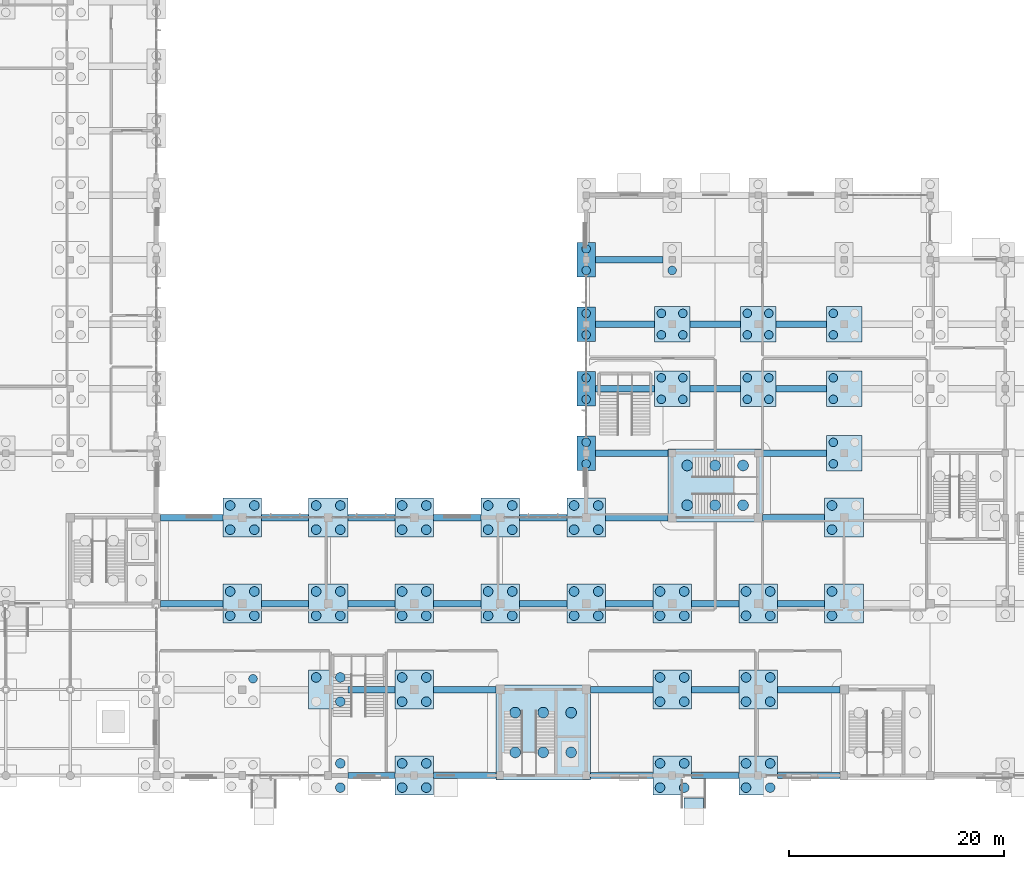
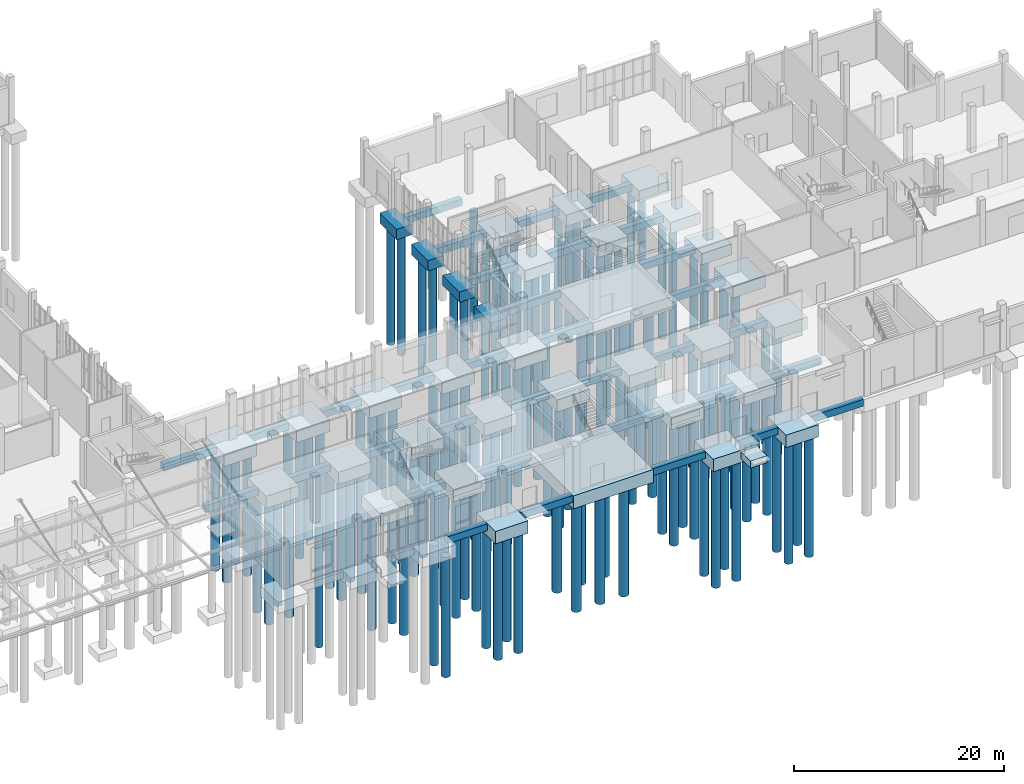
# One storey, part 2 of 69: 125 piles, 69 footings.
"""IFC4 building model written with IfcOpenShell, lengths in metres."""

from ifc_helpers import new_model, si_unit, direction, frame, origin, origin_2d, place, context, subcontext, project, spatial, rectangle, circle, extrude, material, material_profile, profile_set, type_object, element, save


model = new_model("IFC4")

# Units and contexts
model_context = context("Model", 3, precision=1e-05, world=origin(), true_north=direction((0.0, 1.0)))
body_context = subcontext(model_context, "Body", "Model", "MODEL_VIEW")
ifc_project = project(units=[si_unit("LENGTHUNIT", "METRE"), si_unit("AREAUNIT", "SQUARE_METRE"), si_unit("VOLUMEUNIT", "CUBIC_METRE"), si_unit("PLANEANGLEUNIT", "RADIAN"), si_unit("MASSUNIT", "GRAM", prefix="KILO")], contexts=[model_context])

# Site, building, storey
site_placement = place(None, origin())
site = spatial("IfcSite", under=ifc_project, at=site_placement, CompositionType="ELEMENT")
building_placement = place(site_placement, origin())
building = spatial("IfcBuilding", under=site, at=building_placement, Name="Solvane Community Centre", CompositionType="ELEMENT")
storey_placement = place(building_placement, origin())
storey = spatial("IfcBuildingStorey", under=building, at=storey_placement, Name="L00", CompositionType="ELEMENT", Elevation=0.0)

# Piles
ifc_material = material(Name="Concrete C28/35", Category="concrete")
ifc_material_profile_1 = material_profile(ifc_material, circle(Radius=0.5, at=origin_2d()), Name="PILE D1000")
ifc_profile_set_1 = profile_set([ifc_material_profile_1], Name="Concrete C28/35")
pile_type_1 = type_object("IfcPileType", Name="Bored Saprolite Pile D1000", PredefinedType="BORED", material=ifc_profile_set_1)
for number, where, z_axis, x_axis, name in (
    (1, (101.39990234375, 8.14990234375, -1.679931640625), (0.0, 0.0, -1.0), (1.0, 0.0, 0.0), "Bored Pile PILE-C2-11"),
    (2, (101.39990234375, 11.85009765625, -1.679931640625), (0.0, 0.0, -1.0), (1.0, 0.0, 0.0), "Bored Pile PILE-C2-12"),
    (3, (104.0, 8.14990234375, -1.679931640625), (0.0, 0.0, -1.0), (1.0, 0.0, 0.0), "Bored Pile PILE-C2-21"),
    (4, (104.0, 11.85009765625, -1.679931640625), (0.0, 0.0, -1.0), (1.0, 0.0, 0.0), "Bored Pile PILE-C2-22"),
    (5, (106.60009765625, 8.14990234375, -1.679931640625), (0.0, 0.0, -1.0), (1.0, 0.0, 0.0), "Bored Pile PILE-C2-31"),
    (6, (106.60009765625, 11.85009765625, -1.679931640625), (0.0, 0.0, -1.0), (1.0, 0.0, 0.0), "Bored Pile PILE-C2-32"),
    (7, (117.39990234375, 31.14990234375, -1.679931640625), (0.0, 0.0, -1.0), (1.0, 0.0, 0.0), "Bored Pile PILE-C4-11"),
    (8, (117.39990234375, 34.85009765625, -1.679931640625), (0.0, 0.0, -1.0), (1.0, 0.0, 0.0), "Bored Pile PILE-C4-12"),
    (9, (120.0, 31.14990234375, -1.679931640625), (0.0, 0.0, -1.0), (1.0, 0.0, 0.0), "Bored Pile PILE-C4-21"),
    (10, (120.0, 34.85009765625, -1.679931640625), (0.0, 0.0, -1.0), (1.0, 0.0, 0.0), "Bored Pile PILE-C4-22"),
    (11, (122.60009765625, 31.14990234375, -1.679931640625), (0.0, 0.0, -1.0), (1.0, 0.0, 0.0), "Bored Pile PILE-C4-31"),
    (12, (122.60009765625, 34.85009765625, -1.679931640625), (0.0, 0.0, -1.0), (1.0, 0.0, 0.0), "Bored Pile PILE-C4-32"),
):
    element("IfcPile", number, at=place(storey_placement, frame(where, z_axis=z_axis, x_axis=x_axis)), inside=storey, type_object=pile_type_1, Name=name, PredefinedType="BORED", context=body_context, shape_type="SweptSolid", body=[
        extrude(circle(Radius=0.5, at=origin_2d()), origin(), (0.0, 0.0, 1.0), 14.0),
    ])
ifc_material_profile_2 = material_profile(ifc_material, circle(Radius=0.39990234375, at=origin_2d()), Name="PILE D800")
ifc_profile_set_2 = profile_set([ifc_material_profile_2], Name="Concrete C28/35")
pile_type_2 = type_object("IfcPileType", Name="Bored Saprolite Pile D800", PredefinedType="BORED", material=ifc_profile_set_2)
for number, where, z_axis, x_axis, name in (
    (13, (77.0, 15.0, -1.47998046875), (0.0, 0.0, -1.0), (1.0, 0.0, 0.0), "Bored Pile PILE-12-B-4"),
    (14, (108.0, 35.0, -1.3798828125), (0.0, 0.0, -1.0), (1.0, 0.0, 0.0), "Bored Pile PILE-16-E-1"),
    (15, (108.0, 37.0, -1.3798828125), (0.0, 0.0, -1.0), (1.0, 0.0, 0.0), "Bored Pile PILE-16-E-2"),
    (16, (108.0, 41.0, -1.3798828125), (0.0, 0.0, -1.0), (1.0, 0.0, 0.0), "Bored Pile PILE-16-F-1"),
    (17, (108.0, 43.0, -1.3798828125), (0.0, 0.0, -1.0), (1.0, 0.0, 0.0), "Bored Pile PILE-16-F-2"),
    (18, (108.0, 47.0, -1.3798828125), (0.0, 0.0, -1.0), (1.0, 0.0, 0.0), "Bored Pile PILE-16-G-1"),
    (19, (108.0, 49.0, -1.3798828125), (0.0, 0.0, -1.0), (1.0, 0.0, 0.0), "Bored Pile PILE-16-G-2"),
    (20, (108.0, 53.0, -1.3798828125), (0.0, 0.0, -1.0), (1.0, 0.0, 0.0), "Bored Pile PILE-16-H-1"),
    (21, (108.0, 55.0, -1.3798828125), (0.0, 0.0, -1.0), (1.0, 0.0, 0.0), "Bored Pile PILE-16-H-2"),
    (22, (115.0, 41.0, -1.47998046875), (0.0, 0.0, -1.0), (1.0, 0.0, 0.0), "Bored Pile PILE-17-F-1"),
    (23, (117.0, 41.0, -1.47998046875), (0.0, 0.0, -1.0), (1.0, 0.0, 0.0), "Bored Pile PILE-17-F-2"),
    (24, (115.0, 43.0, -1.47998046875), (0.0, 0.0, -1.0), (1.0, 0.0, 0.0), "Bored Pile PILE-17-F-3"),
    (25, (117.0, 43.0, -1.47998046875), (0.0, 0.0, -1.0), (1.0, 0.0, 0.0), "Bored Pile PILE-17-F-4"),
    (26, (115.0, 47.0, -1.47998046875), (0.0, 0.0, -1.0), (1.0, 0.0, 0.0), "Bored Pile PILE-17-G-1"),
    (27, (117.0, 47.0, -1.47998046875), (0.0, 0.0, -1.0), (1.0, 0.0, 0.0), "Bored Pile PILE-17-G-2"),
    (28, (115.0, 49.0, -1.47998046875), (0.0, 0.0, -1.0), (1.0, 0.0, 0.0), "Bored Pile PILE-17-G-3"),
    (29, (117.0, 49.0, -1.47998046875), (0.0, 0.0, -1.0), (1.0, 0.0, 0.0), "Bored Pile PILE-17-G-4"),
    (30, (116.0, 53.0, -1.429931640625), (0.0, 0.0, -1.0), (1.0, 0.0, 0.0), "Bored Pile PILE-17-H-1"),
    (31, (123.0, 41.0, -1.47998046875), (0.0, 0.0, -1.0), (1.0, 0.0, 0.0), "Bored Pile PILE-18-F-1"),
    (32, (125.0, 41.0, -1.47998046875), (0.0, 0.0, -1.0), (1.0, 0.0, 0.0), "Bored Pile PILE-18-F-2"),
    (33, (123.0, 43.0, -1.47998046875), (0.0, 0.0, -1.0), (1.0, 0.0, 0.0), "Bored Pile PILE-18-F-3"),
    (34, (125.0, 43.0, -1.47998046875), (0.0, 0.0, -1.0), (1.0, 0.0, 0.0), "Bored Pile PILE-18-F-4"),
    (35, (123.0, 47.0, -1.47998046875), (0.0, 0.0, -1.0), (1.0, 0.0, 0.0), "Bored Pile PILE-18-G-1"),
    (36, (125.0, 47.0, -1.47998046875), (0.0, 0.0, -1.0), (1.0, 0.0, 0.0), "Bored Pile PILE-18-G-2"),
    (37, (123.0, 49.0, -1.47998046875), (0.0, 0.0, -1.0), (1.0, 0.0, 0.0), "Bored Pile PILE-18-G-3"),
    (38, (125.0, 49.0, -1.47998046875), (0.0, 0.0, -1.0), (1.0, 0.0, 0.0), "Bored Pile PILE-18-G-4"),
    (39, (131.0, 35.0, -1.47998046875), (0.0, 0.0, -1.0), (1.0, 0.0, 0.0), "Bored Pile PILE-19-E-1"),
    (40, (131.0, 37.0, -1.47998046875), (0.0, 0.0, -1.0), (1.0, 0.0, 0.0), "Bored Pile PILE-19-E-3"),
    (41, (131.0, 41.0, -1.47998046875), (0.0, 0.0, -1.0), (1.0, 0.0, 0.0), "Bored Pile PILE-19-F-1"),
    (42, (131.0, 43.0, -1.47998046875), (0.0, 0.0, -1.0), (1.0, 0.0, 0.0), "Bored Pile PILE-19-F-3"),
    (43, (131.0, 47.0, -1.47998046875), (0.0, 0.0, -1.0), (1.0, 0.0, 0.0), "Bored Pile PILE-19-G-1"),
    (44, (131.0, 49.0, -1.47998046875), (0.0, 0.0, -1.0), (1.0, 0.0, 0.0), "Bored Pile PILE-19-G-3"),
):
    element("IfcPile", number, at=place(storey_placement, frame(where, z_axis=z_axis, x_axis=x_axis)), inside=storey, type_object=pile_type_2, Name=name, PredefinedType="BORED", context=body_context, shape_type="SweptSolid", body=[
        extrude(circle(Radius=0.39990234375, at=origin_2d()), origin(), (0.0, 0.0, 1.0), 14.0),
    ])
ifc_material_profile_3 = material_profile(ifc_material, circle(Radius=0.449951171875, at=origin_2d()), Name="PILE D900")
ifc_profile_set_3 = profile_set([ifc_material_profile_3], Name="Concrete C28/35")
pile_type_3 = type_object("IfcPileType", Name="Bored Saprolite Pile D900", PredefinedType="BORED", material=ifc_profile_set_3)
for number, where, z_axis, x_axis, name in (
    (45, (74.875, 20.875, -1.580078125), (0.0, 0.0, -1.0), (1.0, 0.0, 0.0), "Bored Pile PILE-12-C-1"),
    (46, (77.125, 20.875, -1.580078125), (0.0, 0.0, -1.0), (1.0, 0.0, 0.0), "Bored Pile PILE-12-C-2"),
    (47, (74.875, 23.125, -1.580078125), (0.0, 0.0, -1.0), (1.0, 0.0, 0.0), "Bored Pile PILE-12-C-3"),
    (48, (77.125, 23.125, -1.580078125), (0.0, 0.0, -1.0), (1.0, 0.0, 0.0), "Bored Pile PILE-12-C-4"),
    (49, (74.875, 28.875, -1.580078125), (0.0, 0.0, -1.0), (1.0, 0.0, 0.0), "Bored Pile PILE-12-D-1"),
    (50, (77.125, 28.875, -1.580078125), (0.0, 0.0, -1.0), (1.0, 0.0, 0.0), "Bored Pile PILE-12-D-2"),
    (51, (74.875, 31.125, -1.580078125), (0.0, 0.0, -1.0), (1.0, 0.0, 0.0), "Bored Pile PILE-12-D-3"),
    (52, (77.125, 31.125, -1.580078125), (0.0, 0.0, -1.0), (1.0, 0.0, 0.0), "Bored Pile PILE-12-D-4"),
    (53, (85.125, 4.875, -1.6298828125), (0.0, 0.0, -1.0), (1.0, 0.0, 0.0), "Bored Pile PILE-13-A-2"),
    (54, (85.125, 7.125, -1.6298828125), (0.0, 0.0, -1.0), (1.0, 0.0, 0.0), "Bored Pile PILE-13-A-4"),
    (55, (85.125, 12.875, -1.580078125), (0.0, 0.0, -1.0), (1.0, 0.0, 0.0), "Bored Pile PILE-13-B-2"),
    (56, (82.875, 15.125, -1.580078125), (0.0, 0.0, -1.0), (1.0, 0.0, 0.0), "Bored Pile PILE-13-B-3"),
    (57, (85.125, 15.125, -1.580078125), (0.0, 0.0, -1.0), (1.0, 0.0, 0.0), "Bored Pile PILE-13-B-4"),
    (58, (82.875, 20.875, -1.580078125), (0.0, 0.0, -1.0), (1.0, 0.0, 0.0), "Bored Pile PILE-13-C-1"),
    (59, (85.125, 20.875, -1.580078125), (0.0, 0.0, -1.0), (1.0, 0.0, 0.0), "Bored Pile PILE-13-C-2"),
    (60, (82.875, 23.125, -1.580078125), (0.0, 0.0, -1.0), (1.0, 0.0, 0.0), "Bored Pile PILE-13-C-3"),
    (61, (85.125, 23.125, -1.580078125), (0.0, 0.0, -1.0), (1.0, 0.0, 0.0), "Bored Pile PILE-13-C-4"),
    (62, (82.875, 28.875, -1.580078125), (0.0, 0.0, -1.0), (1.0, 0.0, 0.0), "Bored Pile PILE-13-D-1"),
    (63, (85.125, 28.875, -1.580078125), (0.0, 0.0, -1.0), (1.0, 0.0, 0.0), "Bored Pile PILE-13-D-2"),
    (64, (82.875, 31.125, -1.580078125), (0.0, 0.0, -1.0), (1.0, 0.0, 0.0), "Bored Pile PILE-13-D-3"),
    (65, (85.125, 31.125, -1.580078125), (0.0, 0.0, -1.0), (1.0, 0.0, 0.0), "Bored Pile PILE-13-D-4"),
    (66, (90.875, 4.875, -1.6298828125), (0.0, 0.0, -1.0), (1.0, 0.0, 0.0), "Bored Pile PILE-14-A-1"),
    (67, (93.125, 4.875, -1.6298828125), (0.0, 0.0, -1.0), (1.0, 0.0, 0.0), "Bored Pile PILE-14-A-2"),
    (68, (90.875, 7.125, -1.6298828125), (0.0, 0.0, -1.0), (1.0, 0.0, 0.0), "Bored Pile PILE-14-A-3"),
    (69, (93.125, 7.125, -1.6298828125), (0.0, 0.0, -1.0), (1.0, 0.0, 0.0), "Bored Pile PILE-14-A-4"),
    (70, (90.875, 12.875, -1.580078125), (0.0, 0.0, -1.0), (1.0, 0.0, 0.0), "Bored Pile PILE-14-B-1"),
    (71, (93.125, 12.875, -1.580078125), (0.0, 0.0, -1.0), (1.0, 0.0, 0.0), "Bored Pile PILE-14-B-2"),
    (72, (90.875, 15.125, -1.580078125), (0.0, 0.0, -1.0), (1.0, 0.0, 0.0), "Bored Pile PILE-14-B-3"),
    (73, (93.125, 15.125, -1.580078125), (0.0, 0.0, -1.0), (1.0, 0.0, 0.0), "Bored Pile PILE-14-B-4"),
    (74, (90.875, 20.875, -1.580078125), (0.0, 0.0, -1.0), (1.0, 0.0, 0.0), "Bored Pile PILE-14-C-1"),
    (75, (93.125, 20.875, -1.580078125), (0.0, 0.0, -1.0), (1.0, 0.0, 0.0), "Bored Pile PILE-14-C-2"),
    (76, (90.875, 23.125, -1.580078125), (0.0, 0.0, -1.0), (1.0, 0.0, 0.0), "Bored Pile PILE-14-C-3"),
    (77, (93.125, 23.125, -1.580078125), (0.0, 0.0, -1.0), (1.0, 0.0, 0.0), "Bored Pile PILE-14-C-4"),
    (78, (90.875, 28.875, -1.580078125), (0.0, 0.0, -1.0), (1.0, 0.0, 0.0), "Bored Pile PILE-14-D-1"),
    (79, (93.125, 28.875, -1.580078125), (0.0, 0.0, -1.0), (1.0, 0.0, 0.0), "Bored Pile PILE-14-D-2"),
    (80, (90.875, 31.125, -1.580078125), (0.0, 0.0, -1.0), (1.0, 0.0, 0.0), "Bored Pile PILE-14-D-3"),
    (81, (93.125, 31.125, -1.580078125), (0.0, 0.0, -1.0), (1.0, 0.0, 0.0), "Bored Pile PILE-14-D-4"),
    (82, (98.875, 20.875, -1.580078125), (0.0, 0.0, -1.0), (1.0, 0.0, 0.0), "Bored Pile PILE-15-C-1"),
    (83, (101.125, 20.875, -1.580078125), (0.0, 0.0, -1.0), (1.0, 0.0, 0.0), "Bored Pile PILE-15-C-2"),
    (84, (98.875, 23.125, -1.580078125), (0.0, 0.0, -1.0), (1.0, 0.0, 0.0), "Bored Pile PILE-15-C-3"),
    (85, (101.125, 23.125, -1.580078125), (0.0, 0.0, -1.0), (1.0, 0.0, 0.0), "Bored Pile PILE-15-C-4"),
    (86, (98.875, 28.875, -1.580078125), (0.0, 0.0, -1.0), (1.0, 0.0, 0.0), "Bored Pile PILE-15-D-1"),
    (87, (101.125, 28.875, -1.580078125), (0.0, 0.0, -1.0), (1.0, 0.0, 0.0), "Bored Pile PILE-15-D-2"),
    (88, (98.875, 31.125, -1.580078125), (0.0, 0.0, -1.0), (1.0, 0.0, 0.0), "Bored Pile PILE-15-D-3"),
    (89, (101.125, 31.125, -1.580078125), (0.0, 0.0, -1.0), (1.0, 0.0, 0.0), "Bored Pile PILE-15-D-4"),
    (90, (106.875, 20.875, -1.580078125), (0.0, 0.0, -1.0), (1.0, 0.0, 0.0), "Bored Pile PILE-16-C-1"),
    (91, (109.125, 20.875, -1.580078125), (0.0, 0.0, -1.0), (1.0, 0.0, 0.0), "Bored Pile PILE-16-C-2"),
    (92, (106.875, 23.125, -1.580078125), (0.0, 0.0, -1.0), (1.0, 0.0, 0.0), "Bored Pile PILE-16-C-3"),
    (93, (109.125, 23.125, -1.580078125), (0.0, 0.0, -1.0), (1.0, 0.0, 0.0), "Bored Pile PILE-16-C-4"),
    (94, (106.875, 28.875, -1.580078125), (0.0, 0.0, -1.0), (1.0, 0.0, 0.0), "Bored Pile PILE-16-D-1"),
    (95, (109.125, 28.875, -1.580078125), (0.0, 0.0, -1.0), (1.0, 0.0, 0.0), "Bored Pile PILE-16-D-2"),
    (96, (106.875, 31.125, -1.580078125), (0.0, 0.0, -1.0), (1.0, 0.0, 0.0), "Bored Pile PILE-16-D-3"),
    (97, (109.125, 31.125, -1.580078125), (0.0, 0.0, -1.0), (1.0, 0.0, 0.0), "Bored Pile PILE-16-D-4"),
    (98, (114.875, 4.875, -1.6298828125), (0.0, 0.0, -1.0), (1.0, 0.0, 0.0), "Bored Pile PILE-17-A-1"),
    (99, (117.125, 4.875, -1.6298828125), (0.0, 0.0, -1.0), (1.0, 0.0, 0.0), "Bored Pile PILE-17-A-2"),
    (100, (114.875, 7.125, -1.6298828125), (0.0, 0.0, -1.0), (1.0, 0.0, 0.0), "Bored Pile PILE-17-A-3"),
    (101, (117.125, 7.125, -1.6298828125), (0.0, 0.0, -1.0), (1.0, 0.0, 0.0), "Bored Pile PILE-17-A-4"),
    (102, (114.875, 12.875, -1.580078125), (0.0, 0.0, -1.0), (1.0, 0.0, 0.0), "Bored Pile PILE-17-B-1"),
    (103, (117.125, 12.875, -1.580078125), (0.0, 0.0, -1.0), (1.0, 0.0, 0.0), "Bored Pile PILE-17-B-2"),
    (104, (114.875, 15.125, -1.580078125), (0.0, 0.0, -1.0), (1.0, 0.0, 0.0), "Bored Pile PILE-17-B-3"),
    (105, (117.125, 15.125, -1.580078125), (0.0, 0.0, -1.0), (1.0, 0.0, 0.0), "Bored Pile PILE-17-B-4"),
    (106, (114.875, 20.875, -1.580078125), (0.0, 0.0, -1.0), (1.0, 0.0, 0.0), "Bored Pile PILE-17-C-1"),
    (107, (117.125, 20.875, -1.580078125), (0.0, 0.0, -1.0), (1.0, 0.0, 0.0), "Bored Pile PILE-17-C-2"),
    (108, (114.875, 23.125, -1.580078125), (0.0, 0.0, -1.0), (1.0, 0.0, 0.0), "Bored Pile PILE-17-C-3"),
    (109, (117.125, 23.125, -1.580078125), (0.0, 0.0, -1.0), (1.0, 0.0, 0.0), "Bored Pile PILE-17-C-4"),
    (110, (122.875, 4.875, -1.6298828125), (0.0, 0.0, -1.0), (1.0, 0.0, 0.0), "Bored Pile PILE-18-A-1"),
    (111, (125.125, 4.875, -1.6298828125), (0.0, 0.0, -1.0), (1.0, 0.0, 0.0), "Bored Pile PILE-18-A-2"),
    (112, (122.875, 7.125, -1.6298828125), (0.0, 0.0, -1.0), (1.0, 0.0, 0.0), "Bored Pile PILE-18-A-3"),
    (113, (125.125, 7.125, -1.6298828125), (0.0, 0.0, -1.0), (1.0, 0.0, 0.0), "Bored Pile PILE-18-A-4"),
    (114, (122.875, 12.875, -1.580078125), (0.0, 0.0, -1.0), (1.0, 0.0, 0.0), "Bored Pile PILE-18-B-1"),
    (115, (125.125, 12.875, -1.580078125), (0.0, 0.0, -1.0), (1.0, 0.0, 0.0), "Bored Pile PILE-18-B-2"),
    (116, (122.875, 15.125, -1.580078125), (0.0, 0.0, -1.0), (1.0, 0.0, 0.0), "Bored Pile PILE-18-B-3"),
    (117, (125.125, 15.125, -1.580078125), (0.0, 0.0, -1.0), (1.0, 0.0, 0.0), "Bored Pile PILE-18-B-4"),
    (118, (122.875, 20.875, -1.580078125), (0.0, 0.0, -1.0), (1.0, 0.0, 0.0), "Bored Pile PILE-18-C-1"),
    (119, (125.125, 20.875, -1.580078125), (0.0, 0.0, -1.0), (1.0, 0.0, 0.0), "Bored Pile PILE-18-C-2"),
    (120, (122.875, 23.125, -1.580078125), (0.0, 0.0, -1.0), (1.0, 0.0, 0.0), "Bored Pile PILE-18-C-3"),
    (121, (125.125, 23.125, -1.580078125), (0.0, 0.0, -1.0), (1.0, 0.0, 0.0), "Bored Pile PILE-18-C-4"),
    (122, (130.875, 20.875, -1.580078125), (0.0, 0.0, -1.0), (1.0, 0.0, 0.0), "Bored Pile PILE-19-C-1"),
    (123, (130.875, 23.125, -1.580078125), (0.0, 0.0, -1.0), (1.0, 0.0, 0.0), "Bored Pile PILE-19-C-3"),
    (124, (130.875, 28.875, -1.580078125), (0.0, 0.0, -1.0), (1.0, 0.0, 0.0), "Bored Pile PILE-19-D-1"),
    (125, (130.875, 31.125, -1.580078125), (0.0, 0.0, -1.0), (1.0, 0.0, 0.0), "Bored Pile PILE-19-D-3"),
):
    element("IfcPile", number, at=place(storey_placement, frame(where, z_axis=z_axis, x_axis=x_axis)), inside=storey, type_object=pile_type_3, Name=name, PredefinedType="BORED", context=body_context, shape_type="SweptSolid", body=[
        extrude(circle(Radius=0.449951171875, at=origin_2d()), origin(), (0.0, 0.0, 1.0), 14.0),
    ])

# Footings
footing_type_1 = type_object("IfcFootingType", Name="Cloister Pad Footing PF2 1800x1800x800", PredefinedType="PAD_FOOTING", material=ifc_material)
footing_1_placement = place(storey_placement, frame((118.0, 3.0, -1.0400390625), z_axis=(0.0, 0.0, 1.0), x_axis=(1.0, 0.0, 0.0)))
element("IfcFooting", 126, at=footing_1_placement, inside=storey, type_object=footing_type_1, Name="Ramp Support Footing FTG-RMP-04-BOT", PredefinedType="PAD_FOOTING", context=body_context, shape_type="SweptSolid", body=[
    extrude(rectangle(XDim=1.800048828125, YDim=1.800048828125, at=origin_2d()), origin(), (0.0, 0.0, 1.0), 0.800048828125),
])
footing_type_2 = type_object("IfcFootingType", Name="Core Mat Cap MC1 8800x8800x1500", PredefinedType="PILE_CAP", material=ifc_material)
footing_2_placement = place(storey_placement, frame((104.0, 10.0, -1.780029296875), z_axis=(0.0, 0.0, 1.0), x_axis=(1.0, 0.0, 0.0)))
element("IfcFooting", 127, at=footing_2_placement, inside=storey, type_object=footing_type_2, Name="Core Pile Cap C2", PredefinedType="PILE_CAP", context=body_context, shape_type="SweptSolid", body=[
    extrude(rectangle(XDim=8.800048828125, YDim=8.800048828125, at=origin_2d()), origin(), (0.0, 0.0, 1.0), 1.5),
])
footing_type_3 = type_object("IfcFootingType", Name="Core Mat Cap MC2 8800x6800x1500", PredefinedType="PILE_CAP", material=ifc_material)
footing_3_placement = place(storey_placement, frame((120.0, 33.0, -1.780029296875), z_axis=(0.0, 0.0, 1.0), x_axis=(1.0, 0.0, 0.0)))
element("IfcFooting", 128, at=footing_3_placement, inside=storey, type_object=footing_type_3, Name="Core Pile Cap C4", PredefinedType="PILE_CAP", context=body_context, shape_type="SweptSolid", body=[
    extrude(rectangle(XDim=8.800048828125, YDim=6.800048828125, at=origin_2d()), origin(), (0.0, 0.0, 1.0), 1.5),
])
footing_type_4 = type_object("IfcFootingType", Name="Pile Cap 170x320x120cm", PredefinedType="PILE_CAP", material=ifc_material)
for number, where, z_axis, x_axis, name in (
    (129, (108.0, 36.0, -1.47998046875), (0.0, 0.0, 1.0), (1.0, 0.0, 0.0), "Pile Cap 16E"),
    (130, (108.0, 42.0, -1.47998046875), (0.0, 0.0, 1.0), (1.0, 0.0, 0.0), "Pile Cap 16F"),
    (131, (108.0, 48.0, -1.47998046875), (0.0, 0.0, 1.0), (1.0, 0.0, 0.0), "Pile Cap 16G"),
    (132, (108.0, 54.0, -1.47998046875), (0.0, 0.0, 1.0), (1.0, 0.0, 0.0), "Pile Cap 16H"),
):
    element("IfcFooting", number, at=place(storey_placement, frame(where, z_axis=z_axis, x_axis=x_axis)), inside=storey, type_object=footing_type_4, Name=name, PredefinedType="PILE_CAP", context=body_context, shape_type="SweptSolid", body=[
        extrude(rectangle(XDim=1.699951171875, YDim=3.199951171875, at=origin_2d()), origin(), (0.0, 0.0, 1.0), 1.199951171875),
    ])
footing_type_5 = type_object("IfcFootingType", Name="Pile Cap 330x330x130cm", PredefinedType="PILE_CAP", material=ifc_material)
for number, where, z_axis, x_axis, name in (
    (133, (116.0, 42.0, -1.580078125), (0.0, 0.0, 1.0), (1.0, 0.0, 0.0), "Pile Cap 17F"),
    (134, (116.0, 48.0, -1.580078125), (0.0, 0.0, 1.0), (1.0, 0.0, 0.0), "Pile Cap 17G"),
    (135, (124.0, 42.0, -1.580078125), (0.0, 0.0, 1.0), (1.0, 0.0, 0.0), "Pile Cap 18F"),
    (136, (124.0, 48.0, -1.580078125), (0.0, 0.0, 1.0), (1.0, 0.0, 0.0), "Pile Cap 18G"),
    (137, (132.0, 36.0, -1.580078125), (0.0, 0.0, 1.0), (1.0, 0.0, 0.0), "Pile Cap 19E"),
    (138, (132.0, 42.0, -1.580078125), (0.0, 0.0, 1.0), (1.0, 0.0, 0.0), "Pile Cap 19F"),
    (139, (132.0, 48.0, -1.580078125), (0.0, 0.0, 1.0), (1.0, 0.0, 0.0), "Pile Cap 19G"),
):
    element("IfcFooting", number, at=place(storey_placement, frame(where, z_axis=z_axis, x_axis=x_axis)), inside=storey, type_object=footing_type_5, Name=name, PredefinedType="PILE_CAP", context=body_context, shape_type="SweptSolid", body=[
        extrude(rectangle(XDim=3.300048828125, YDim=3.300048828125, at=origin_2d()), origin(), (0.0, 0.0, 1.0), 1.300048828125),
    ])
footing_type_6 = type_object("IfcFootingType", Name="Pile Cap 360x360x140cm", PredefinedType="PILE_CAP", material=ifc_material)
for number, where, z_axis, x_axis, name in (
    (140, (76.0, 22.0, -1.679931640625), (0.0, 0.0, 1.0), (1.0, 0.0, 0.0), "Pile Cap 12C"),
    (141, (76.0, 30.0, -1.679931640625), (0.0, 0.0, 1.0), (1.0, 0.0, 0.0), "Pile Cap 12D"),
    (142, (92.0, 14.0, -1.679931640625), (0.0, 0.0, 1.0), (1.0, 0.0, 0.0), "Pile Cap 14B"),
    (143, (92.0, 22.0, -1.679931640625), (0.0, 0.0, 1.0), (1.0, 0.0, 0.0), "Pile Cap 14C"),
    (144, (92.0, 30.0, -1.679931640625), (0.0, 0.0, 1.0), (1.0, 0.0, 0.0), "Pile Cap 14D"),
    (145, (100.0, 22.0, -1.679931640625), (0.0, 0.0, 1.0), (1.0, 0.0, 0.0), "Pile Cap 15C"),
    (146, (100.0, 30.0, -1.679931640625), (0.0, 0.0, 1.0), (1.0, 0.0, 0.0), "Pile Cap 15D"),
    (147, (108.0, 22.0, -1.679931640625), (0.0, 0.0, 1.0), (1.0, 0.0, 0.0), "Pile Cap 16C"),
    (148, (108.0, 30.0, -1.679931640625), (0.0, 0.0, 1.0), (1.0, 0.0, 0.0), "Pile Cap 16D"),
    (149, (116.0, 14.0, -1.679931640625), (0.0, 0.0, 1.0), (1.0, 0.0, 0.0), "Pile Cap 17B"),
    (150, (116.0, 22.0, -1.679931640625), (0.0, 0.0, 1.0), (1.0, 0.0, 0.0), "Pile Cap 17C"),
    (151, (124.0, 14.0, -1.679931640625), (0.0, 0.0, 1.0), (1.0, 0.0, 0.0), "Pile Cap 18B"),
    (152, (124.0, 22.0, -1.679931640625), (0.0, 0.0, 1.0), (1.0, 0.0, 0.0), "Pile Cap 18C"),
    (153, (132.0, 22.0, -1.679931640625), (0.0, 0.0, 1.0), (1.0, 0.0, 0.0), "Pile Cap 19C"),
    (154, (132.0, 30.0, -1.679931640625), (0.0, 0.0, 1.0), (1.0, 0.0, 0.0), "Pile Cap 19D"),
):
    element("IfcFooting", number, at=place(storey_placement, frame(where, z_axis=z_axis, x_axis=x_axis)), inside=storey, type_object=footing_type_6, Name=name, PredefinedType="PILE_CAP", context=body_context, shape_type="SweptSolid", body=[
        extrude(rectangle(XDim=3.60009765625, YDim=3.60009765625, at=origin_2d()), origin(), (0.0, 0.0, 1.0), 1.39990234375),
    ])
footing_type_7 = type_object("IfcFootingType", Name="Pile Cap 360x360x145cm", PredefinedType="PILE_CAP", material=ifc_material)
for number, where, z_axis, x_axis, name in (
    (155, (92.0, 6.0, -1.72998046875), (0.0, 0.0, 1.0), (1.0, 0.0, 0.0), "Pile Cap 14A"),
    (156, (116.0, 6.0, -1.72998046875), (0.0, 0.0, 1.0), (1.0, 0.0, 0.0), "Pile Cap 17A"),
    (157, (124.0, 6.0, -1.72998046875), (0.0, 0.0, 1.0), (1.0, 0.0, 0.0), "Pile Cap 18A"),
):
    element("IfcFooting", number, at=place(storey_placement, frame(where, z_axis=z_axis, x_axis=x_axis)), inside=storey, type_object=footing_type_7, Name=name, PredefinedType="PILE_CAP", context=body_context, shape_type="SweptSolid", body=[
        extrude(rectangle(XDim=3.60009765625, YDim=3.60009765625, at=origin_2d()), origin(), (0.0, 0.0, 1.0), 1.449951171875),
    ])
footing_type_8 = type_object("IfcFootingType", Name="Pile Cap 370x360x140cm", PredefinedType="PILE_CAP", material=ifc_material)
for number, where, z_axis, x_axis, name in (
    (158, (84.0, 14.0, -1.679931640625), (0.0, 0.0, 1.0), (1.0, 0.0, 0.0), "Pile Cap 13B"),
    (159, (84.0, 22.0, -1.679931640625), (0.0, 0.0, 1.0), (1.0, 0.0, 0.0), "Pile Cap 13C"),
    (160, (84.0, 30.0, -1.679931640625), (0.0, 0.0, 1.0), (1.0, 0.0, 0.0), "Pile Cap 13D"),
):
    element("IfcFooting", number, at=place(storey_placement, frame(where, z_axis=z_axis, x_axis=x_axis)), inside=storey, type_object=footing_type_8, Name=name, PredefinedType="PILE_CAP", context=body_context, shape_type="SweptSolid", body=[
        extrude(rectangle(XDim=3.699951171875, YDim=3.60009765625, at=origin_2d()), origin(), (0.0, 0.0, 1.0), 1.39990234375),
    ])
footing_type_9 = type_object("IfcFootingType", Name="Seismic Ground Tie Beam 600x800 L44dm", PredefinedType="FOOTING_BEAM", material=ifc_material)
footing_4_placement = place(storey_placement, frame((88.02490234375, 6.0, -1.080078125), z_axis=(0.0, 0.0, 1.0), x_axis=(1.0, 0.0, 0.0)))
element("IfcFooting", 161, at=footing_4_placement, inside=storey, type_object=footing_type_9, Name="Ground Tie Beam FTG-GTB-X-003", PredefinedType="FOOTING_BEAM", context=body_context, shape_type="SweptSolid", body=[
    extrude(rectangle(XDim=4.35009765625, YDim=0.60009765625, at=origin_2d()), origin(), (0.0, 0.0, 1.0), 0.800048828125),
])
footing_5_placement = place(storey_placement, frame((120.0, 6.0, -1.080078125), z_axis=(0.0, 0.0, 1.0), x_axis=(1.0, 0.0, 0.0)))
element("IfcFooting", 162, at=footing_5_placement, inside=storey, type_object=footing_type_9, Name="Ground Tie Beam FTG-GTB-X-006", PredefinedType="FOOTING_BEAM", context=body_context, shape_type="SweptSolid", body=[
    extrude(rectangle(XDim=4.39990234375, YDim=0.60009765625, at=origin_2d()), origin(), (0.0, 0.0, 1.0), 0.800048828125),
])
footing_6_placement = place(storey_placement, frame((88.02490234375, 14.0, -1.080078125), z_axis=(0.0, 0.0, 1.0), x_axis=(1.0, 0.0, 0.0)))
element("IfcFooting", 163, at=footing_6_placement, inside=storey, type_object=footing_type_9, Name="Ground Tie Beam FTG-GTB-X-014", PredefinedType="FOOTING_BEAM", context=body_context, shape_type="SweptSolid", body=[
    extrude(rectangle(XDim=4.35009765625, YDim=0.60009765625, at=origin_2d()), origin(), (0.0, 0.0, 1.0), 0.800048828125),
])
footing_7_placement = place(storey_placement, frame((120.0, 14.0, -1.080078125), z_axis=(0.0, 0.0, 1.0), x_axis=(1.0, 0.0, 0.0)))
element("IfcFooting", 164, at=footing_7_placement, inside=storey, type_object=footing_type_9, Name="Ground Tie Beam FTG-GTB-X-017", PredefinedType="FOOTING_BEAM", context=body_context, shape_type="SweptSolid", body=[
    extrude(rectangle(XDim=4.39990234375, YDim=0.60009765625, at=origin_2d()), origin(), (0.0, 0.0, 1.0), 0.800048828125),
])
for number, where, z_axis, x_axis, name in (
    (165, (79.97509765625, 22.0, -1.080078125), (0.0, 0.0, 1.0), (1.0, 0.0, 0.0), "Ground Tie Beam FTG-GTB-X-024"),
    (166, (88.02490234375, 22.0, -1.080078125), (0.0, 0.0, 1.0), (1.0, 0.0, 0.0), "Ground Tie Beam FTG-GTB-X-025"),
):
    element("IfcFooting", number, at=place(storey_placement, frame(where, z_axis=z_axis, x_axis=x_axis)), inside=storey, type_object=footing_type_9, Name=name, PredefinedType="FOOTING_BEAM", context=body_context, shape_type="SweptSolid", body=[
        extrude(rectangle(XDim=4.35009765625, YDim=0.60009765625, at=origin_2d()), origin(), (0.0, 0.0, 1.0), 0.800048828125),
    ])
for number, where, z_axis, x_axis, name in (
    (167, (96.0, 22.0, -1.080078125), (0.0, 0.0, 1.0), (1.0, 0.0, 0.0), "Ground Tie Beam FTG-GTB-X-026"),
    (168, (104.0, 22.0, -1.080078125), (0.0, 0.0, 1.0), (1.0, 0.0, 0.0), "Ground Tie Beam FTG-GTB-X-027"),
    (169, (112.0, 22.0, -1.080078125), (0.0, 0.0, 1.0), (1.0, 0.0, 0.0), "Ground Tie Beam FTG-GTB-X-028"),
    (170, (120.0, 22.0, -1.080078125), (0.0, 0.0, 1.0), (1.0, 0.0, 0.0), "Ground Tie Beam FTG-GTB-X-029"),
    (171, (128.0, 22.0, -1.080078125), (0.0, 0.0, 1.0), (1.0, 0.0, 0.0), "Ground Tie Beam FTG-GTB-X-030"),
):
    element("IfcFooting", number, at=place(storey_placement, frame(where, z_axis=z_axis, x_axis=x_axis)), inside=storey, type_object=footing_type_9, Name=name, PredefinedType="FOOTING_BEAM", context=body_context, shape_type="SweptSolid", body=[
        extrude(rectangle(XDim=4.39990234375, YDim=0.60009765625, at=origin_2d()), origin(), (0.0, 0.0, 1.0), 0.800048828125),
    ])
for number, where, z_axis, x_axis, name in (
    (172, (79.97509765625, 30.0, -1.080078125), (0.0, 0.0, 1.0), (1.0, 0.0, 0.0), "Ground Tie Beam FTG-GTB-X-038"),
    (173, (88.02490234375, 30.0, -1.080078125), (0.0, 0.0, 1.0), (1.0, 0.0, 0.0), "Ground Tie Beam FTG-GTB-X-039"),
):
    element("IfcFooting", number, at=place(storey_placement, frame(where, z_axis=z_axis, x_axis=x_axis)), inside=storey, type_object=footing_type_9, Name=name, PredefinedType="FOOTING_BEAM", context=body_context, shape_type="SweptSolid", body=[
        extrude(rectangle(XDim=4.35009765625, YDim=0.60009765625, at=origin_2d()), origin(), (0.0, 0.0, 1.0), 0.800048828125),
    ])
for number, where, z_axis, x_axis, name in (
    (174, (96.0, 30.0, -1.080078125), (0.0, 0.0, 1.0), (1.0, 0.0, 0.0), "Ground Tie Beam FTG-GTB-X-040"),
    (175, (104.0, 30.0, -1.080078125), (0.0, 0.0, 1.0), (1.0, 0.0, 0.0), "Ground Tie Beam FTG-GTB-X-041"),
):
    element("IfcFooting", number, at=place(storey_placement, frame(where, z_axis=z_axis, x_axis=x_axis)), inside=storey, type_object=footing_type_9, Name=name, PredefinedType="FOOTING_BEAM", context=body_context, shape_type="SweptSolid", body=[
        extrude(rectangle(XDim=4.39990234375, YDim=0.60009765625, at=origin_2d()), origin(), (0.0, 0.0, 1.0), 0.800048828125),
    ])
footing_type_10 = type_object("IfcFootingType", Name="Seismic Ground Tie Beam 600x800 L47dm", PredefinedType="FOOTING_BEAM", material=ifc_material)
for number, where, z_axis, x_axis, name in (
    (176, (120.0, 42.0, -1.080078125), (0.0, 0.0, 1.0), (1.0, 0.0, 0.0), "Ground Tie Beam FTG-GTB-X-064"),
    (177, (128.0, 42.0, -1.080078125), (0.0, 0.0, 1.0), (1.0, 0.0, 0.0), "Ground Tie Beam FTG-GTB-X-065"),
    (178, (120.0, 48.0, -1.080078125), (0.0, 0.0, 1.0), (1.0, 0.0, 0.0), "Ground Tie Beam FTG-GTB-X-073"),
    (179, (128.0, 48.0, -1.080078125), (0.0, 0.0, 1.0), (1.0, 0.0, 0.0), "Ground Tie Beam FTG-GTB-X-074"),
):
    element("IfcFooting", number, at=place(storey_placement, frame(where, z_axis=z_axis, x_axis=x_axis)), inside=storey, type_object=footing_type_10, Name=name, PredefinedType="FOOTING_BEAM", context=body_context, shape_type="SweptSolid", body=[
        extrude(rectangle(XDim=4.699951171875, YDim=0.60009765625, at=origin_2d()), origin(), (0.0, 0.0, 1.0), 0.800048828125),
    ])
footing_type_11 = type_object("IfcFootingType", Name="Seismic Ground Tie Beam 600x800 L55dm", PredefinedType="FOOTING_BEAM", material=ifc_material)
for number, where, z_axis, x_axis, name in (
    (180, (111.60009765625, 42.0, -1.080078125), (0.0, 0.0, 1.0), (1.0, 0.0, 0.0), "Ground Tie Beam FTG-GTB-X-063"),
    (181, (111.60009765625, 48.0, -1.080078125), (0.0, 0.0, 1.0), (1.0, 0.0, 0.0), "Ground Tie Beam FTG-GTB-X-072"),
):
    element("IfcFooting", number, at=place(storey_placement, frame(where, z_axis=z_axis, x_axis=x_axis)), inside=storey, type_object=footing_type_11, Name=name, PredefinedType="FOOTING_BEAM", context=body_context, shape_type="SweptSolid", body=[
        extrude(rectangle(XDim=5.5, YDim=0.60009765625, at=origin_2d()), origin(), (0.0, 0.0, 1.0), 0.800048828125),
    ])
footing_type_12 = type_object("IfcFootingType", Name="Seismic Ground Tie Beam 600x800 L58dm", PredefinedType="FOOTING_BEAM", material=ifc_material)
for number, where, z_axis, x_axis, name in (
    (182, (96.699951171875, 6.0, -1.080078125), (0.0, 0.0, 1.0), (1.0, 0.0, 0.0), "Ground Tie Beam FTG-GTB-X-004"),
    (183, (111.300048828125, 6.0, -1.080078125), (0.0, 0.0, 1.0), (1.0, 0.0, 0.0), "Ground Tie Beam FTG-GTB-X-005"),
    (184, (128.699951171875, 6.0, -1.080078125), (0.0, 0.0, 1.0), (1.0, 0.0, 0.0), "Ground Tie Beam FTG-GTB-X-007"),
    (185, (96.699951171875, 14.0, -1.080078125), (0.0, 0.0, 1.0), (1.0, 0.0, 0.0), "Ground Tie Beam FTG-GTB-X-015"),
    (186, (111.300048828125, 14.0, -1.080078125), (0.0, 0.0, 1.0), (1.0, 0.0, 0.0), "Ground Tie Beam FTG-GTB-X-016"),
    (187, (128.699951171875, 14.0, -1.080078125), (0.0, 0.0, 1.0), (1.0, 0.0, 0.0), "Ground Tie Beam FTG-GTB-X-018"),
    (188, (71.300048828125, 22.0, -1.080078125), (0.0, 0.0, 1.0), (1.0, 0.0, 0.0), "Ground Tie Beam FTG-GTB-X-023"),
    (189, (71.300048828125, 30.0, -1.080078125), (0.0, 0.0, 1.0), (1.0, 0.0, 0.0), "Ground Tie Beam FTG-GTB-X-037"),
    (190, (112.699951171875, 30.0, -1.080078125), (0.0, 0.0, 1.0), (1.0, 0.0, 0.0), "Ground Tie Beam FTG-GTB-X-042"),
    (191, (127.300048828125, 30.0, -1.080078125), (0.0, 0.0, 1.0), (1.0, 0.0, 0.0), "Ground Tie Beam FTG-GTB-X-043"),
):
    element("IfcFooting", number, at=place(storey_placement, frame(where, z_axis=z_axis, x_axis=x_axis)), inside=storey, type_object=footing_type_12, Name=name, PredefinedType="FOOTING_BEAM", context=body_context, shape_type="SweptSolid", body=[
        extrude(rectangle(XDim=5.800048828125, YDim=0.60009765625, at=origin_2d()), origin(), (0.0, 0.0, 1.0), 0.800048828125),
    ])
footing_type_13 = type_object("IfcFootingType", Name="Seismic Ground Tie Beam 600x800 L60dm", PredefinedType="FOOTING_BEAM", material=ifc_material)
footing_8_placement = place(storey_placement, frame((127.375, 36.0, -1.080078125), z_axis=(0.0, 0.0, 1.0), x_axis=(1.0, 0.0, 0.0)))
element("IfcFooting", 192, at=footing_8_placement, inside=storey, type_object=footing_type_13, Name="Ground Tie Beam FTG-GTB-X-054", PredefinedType="FOOTING_BEAM", context=body_context, shape_type="SweptSolid", body=[
    extrude(rectangle(XDim=5.949951171875, YDim=0.60009765625, at=origin_2d()), origin(), (0.0, 0.0, 1.0), 0.800048828125),
])
footing_type_14 = type_object("IfcFootingType", Name="Seismic Ground Tie Beam 600x800 L63dm", PredefinedType="FOOTING_BEAM", material=ifc_material)
footing_9_placement = place(storey_placement, frame((112.0, 54.0, -1.080078125), z_axis=(0.0, 0.0, 1.0), x_axis=(1.0, 0.0, 0.0)))
element("IfcFooting", 193, at=footing_9_placement, inside=storey, type_object=footing_type_14, Name="Ground Tie Beam FTG-GTB-X-081", PredefinedType="FOOTING_BEAM", context=body_context, shape_type="SweptSolid", body=[
    extrude(rectangle(XDim=6.300048828125, YDim=0.60009765625, at=origin_2d()), origin(), (0.0, 0.0, 1.0), 0.800048828125),
])
footing_type_15 = type_object("IfcFootingType", Name="Seismic Ground Tie Beam 600x800 L68dm", PredefinedType="FOOTING_BEAM", material=ifc_material)
footing_10_placement = place(storey_placement, frame((112.22509765625, 36.0, -1.080078125), z_axis=(0.0, 0.0, 1.0), x_axis=(1.0, 0.0, 0.0)))
element("IfcFooting", 194, at=footing_10_placement, inside=storey, type_object=footing_type_15, Name="Ground Tie Beam FTG-GTB-X-053", PredefinedType="FOOTING_BEAM", context=body_context, shape_type="SweptSolid", body=[
    extrude(rectangle(XDim=6.75, YDim=0.60009765625, at=origin_2d()), origin(), (0.0, 0.0, 1.0), 0.800048828125),
])

save(model, "model.ifc")
